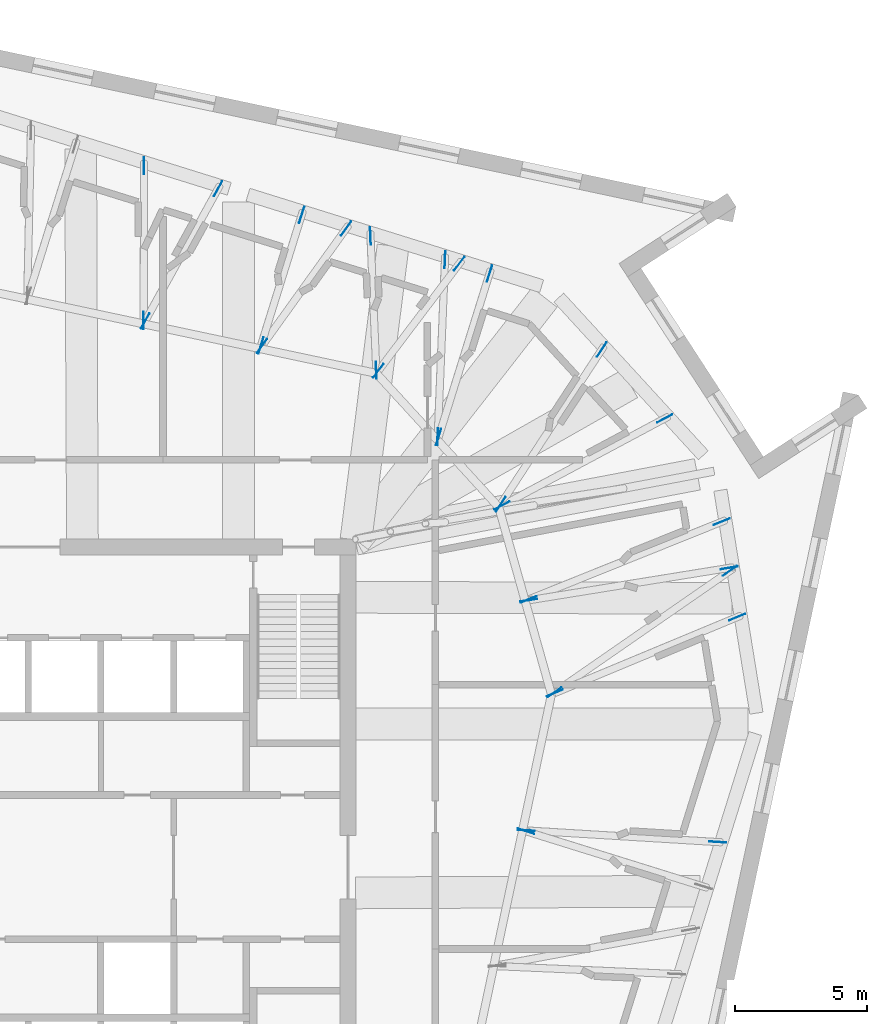
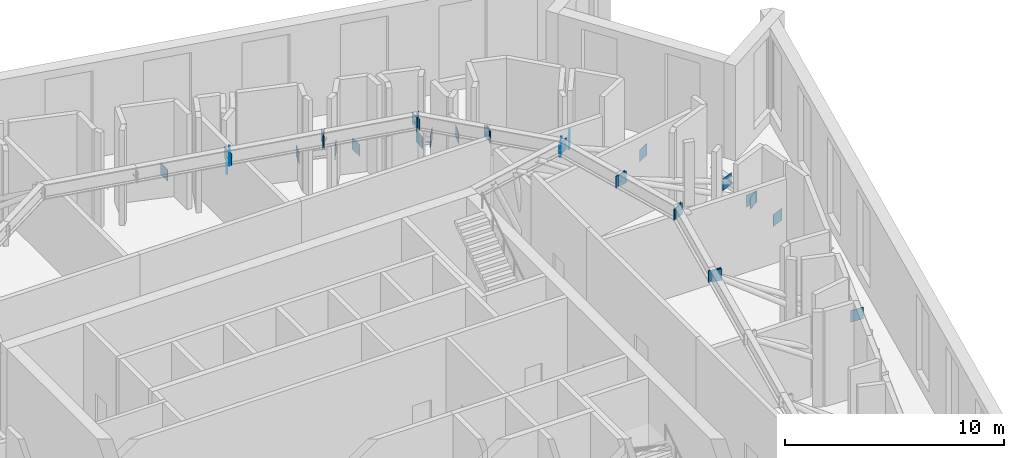
# One storey, part 17 of 19: 31 discrete accessories.
"""IFC4 building model written with IfcOpenShell, lengths in metres."""

from ifc_helpers import new_model, si_unit, direction, frame, origin, origin_2d, place, context, subcontext, project, spatial, rectangle, extrude, material, layer, layer_set, type_object, element, save


model = new_model("IFC4")

# Units and contexts
model_context = context("Model", 3, precision=1e-05, world=origin(), true_north=direction((0.0, 1.0)))
body_context = subcontext(model_context, "Body", "Model", "MODEL_VIEW")
ifc_project = project(units=[si_unit("LENGTHUNIT", "METRE"), si_unit("AREAUNIT", "SQUARE_METRE"), si_unit("VOLUMEUNIT", "CUBIC_METRE"), si_unit("PLANEANGLEUNIT", "RADIAN"), si_unit("MASSUNIT", "GRAM", prefix="KILO")], contexts=[model_context])

# Site, building, storey
site_placement = place(None, origin())
site = spatial("IfcSite", under=ifc_project, at=site_placement, CompositionType="ELEMENT")
building_placement = place(site_placement, origin())
building = spatial("IfcBuilding", under=site, at=building_placement, Name="Dilmun Exchange Tower", CompositionType="ELEMENT")
storey_placement = place(building_placement, frame((0.0, 0.0, 344.5)))
storey = spatial("IfcBuildingStorey", under=building, at=storey_placement, Name="L82", CompositionType="ELEMENT", Elevation=344.5)

# Discrete accessories
ifc_material = material(Name="Steel S355J2", Category="steel")
ifc_layer = layer(ifc_material, 0.02001953125)
ifc_layer_set = layer_set([ifc_layer], Name="Steel S355J2")
discrete_accessory_type = type_object("IfcDiscreteAccessoryType", Name="Gusset plate 20 x 650 x 650", PredefinedType="BRACKET", material=ifc_layer_set)
for number, where, z_axis, x_axis, name in (
    (1, (18.82958984375, 1.352294921875, 4.48095703125), (0.0, 0.0, 1.0), (0.954720826567, -0.297503182032, 0.0), "Gusset plate L82-DG43 end 1"),
    (2, (18.836669921875, 1.384521484375, 4.482666015625), (0.0, 0.0, 1.0), (0.998157636355, -0.060673989365, 0.0), "Gusset plate L82-DG44 end 1"),
    (3, (26.076904296875, 0.944580078125, 0.01025390625), (0.0, 0.0, 1.0), (0.998157636355, -0.060673989365, 0.0), "Gusset plate L82-DG44 end 2"),
    (4, (19.918701171875, 6.58154296875, 4.484619140625), (0.0, 0.0, 1.0), (0.923221618978, 0.384267930292, 0.0), "Gusset plate L82-DG45 end 1"),
    (5, (26.8173828125, 9.452880859375, 0.008544921875), (0.0, 0.0, 1.0), (0.923221618978, 0.384267930292, 0.0), "Gusset plate L82-DG45 end 2"),
    (6, (19.90673828125, 6.60888671875, 4.4892578125), (0.0, 0.0, 1.0), (0.82219769071, 0.569202035652, 0.0), "Gusset plate L82-DG46 end 1"),
    (7, (26.54248046875, 11.20263671875, 0.00390625), (0.0, 0.0, 1.0), (0.82219769071, 0.569202035652, 0.0), "Gusset plate L82-DG46 end 2"),
    (8, (18.9326171875, 10.08984375, 4.486083984375), (0.0, 0.0, 1.0), (0.987219565204, 0.159366025483, 0.0), "Gusset plate L82-DG47 end 1"),
    (9, (26.51220703125, 11.3134765625, 0.0068359375), (0.0, 0.0, 1.0), (0.987219565204, 0.159366025483, 0.0), "Gusset plate L82-DG47 end 2"),
    (10, (18.925048828125, 10.1201171875, 4.487548828125), (0.0, 0.0, 1.0), (0.927740528349, 0.373225819121, 0.0), "Gusset plate L82-DG48 end 1"),
    (11, (26.23291015625, 13.06005859375, 0.00537109375), (0.0, 0.0, 1.0), (0.927740528349, 0.373225819121, 0.0), "Gusset plate L82-DG48 end 2"),
    (12, (17.872802734375, 13.7216796875, 4.48046875), (0.0, 0.0, 1.0), (0.546704202908, 0.837325811451, 0.0), "Gusset plate L82-DG49 end 1"),
    (13, (21.690185546875, 19.568115234375, 0.0126953125), (0.0, 0.0, 1.0), (0.546704202908, 0.837325811451, 0.0), "Gusset plate L82-DG49 end 2"),
    (14, (17.918701171875, 13.67138671875, 4.48046875), (0.0, 0.0, 1.0), (0.88185132153, 0.471527567291, 0.0), "Gusset plate L82-DG50 end 1"),
    (15, (24.076171875, 16.964111328125, 0.0126953125), (0.0, 0.0, 1.0), (0.88185132153, 0.471527567291, 0.0), "Gusset plate L82-DG50 end 2"),
    (16, (15.523193359375, 16.26611328125, 4.475830078125), (0.0, 0.0, 1.0), (0.297531509039, 0.95471199905, 0.0), "Gusset plate L82-DG51 end 1"),
    (17, (17.44775390625, 22.44140625, 0.017333984375), (0.0, 0.0, 1.0), (0.297531509039, 0.95471199905, 0.0), "Gusset plate L82-DG51 end 2"),
    (18, (15.489013671875, 16.273681640625, 4.47802734375), (0.0, 0.0, 1.0), (0.040963629898, 0.999160638249, 0.0), "Gusset plate L82-DG52 end 1"),
    (19, (15.763671875, 22.9697265625, 0.01513671875), (0.0, 0.0, 1.0), (0.040963629898, 0.999160638249, 0.0), "Gusset plate L82-DG52 end 2"),
    (20, (13.163818359375, 18.792236328125, 4.461181640625), (0.0, 0.0, 1.0), (-0.042960271384, 0.999076781375, 0.0), "Gusset plate L82-DG53 end 1"),
    (21, (12.94580078125, 23.864013671875, 0.03173828125), (0.0, 0.0, 1.0), (-0.042960271384, 0.999076781375, 0.0), "Gusset plate L82-DG53 end 2"),
    (22, (13.242919921875, 18.767578125, 4.461181640625), (0.0, 0.0, 1.0), (0.602930934102, 0.797793387227, 0.0), "Gusset plate L82-DG54 end 1"),
    (23, (16.303466796875, 22.8173828125, 0.03173828125), (0.0, 0.0, 1.0), (0.602930934102, 0.797793387227, 0.0), "Gusset plate L82-DG54 end 2"),
    (24, (8.80419921875, 19.723388671875, 4.46240234375), (0.0, 0.0, 1.0), (0.297533175325, 0.954711479758, 0.0), "Gusset plate L82-DG55 end 1"),
    (25, (10.344482421875, 24.666015625, 0.03076171875), (0.0, 0.0, 1.0), (0.297533175325, 0.954711479758, 0.0), "Gusset plate L82-DG55 end 2"),
    (26, (8.841064453125, 19.7080078125, 4.465576171875), (0.0, 0.0, 1.0), (0.583080477734, 0.812414399482, 0.0), "Gusset plate L82-DG56 end 1"),
    (27, (12.026123046875, 24.145751953125, 0.027587890625), (0.0, 0.0, 1.0), (0.583080477734, 0.812414399482, 0.0), "Gusset plate L82-DG56 end 2"),
    (28, (4.427978515625, 20.6533203125, 4.46826171875), (0.0, 0.0, 1.0), (0.482484580446, 0.875904463758, 0.0), "Gusset plate L82-DG57 end 1"),
    (29, (7.18017578125, 25.64990234375, 0.02490234375), (0.0, 0.0, 1.0), (0.482484580446, 0.875904463758, 0.0), "Gusset plate L82-DG57 end 2"),
    (30, (4.366455078125, 20.67041015625, 4.4697265625), (0.0, 0.0, 1.0), (0.003077010616, 0.999995265992, 0.0), "Gusset plate L82-DG58 end 1"),
    (31, (4.384521484375, 26.52294921875, 0.0234375), (0.0, 0.0, 1.0), (0.003077010616, 0.999995265992, 0.0), "Gusset plate L82-DG58 end 2"),
):
    element("IfcDiscreteAccessory", number, at=place(storey_placement, frame(where, z_axis=z_axis, x_axis=x_axis)), inside=storey, type_object=discrete_accessory_type, Name=name, PredefinedType="BRACKET", context=body_context, shape_type="SweptSolid", body=[
        extrude(rectangle(XDim=0.64990234375, YDim=0.02001953125, at=origin_2d()), origin(), (0.0, 0.0, 1.0), 0.64990234375),
    ])

save(model, "model.ifc")
